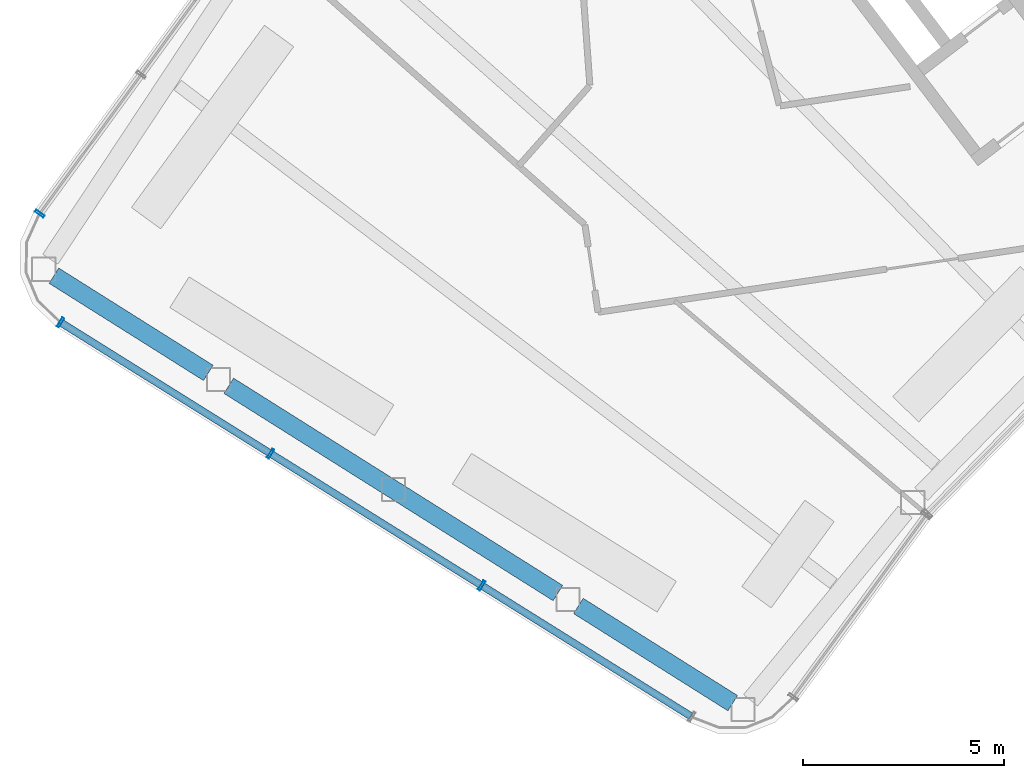
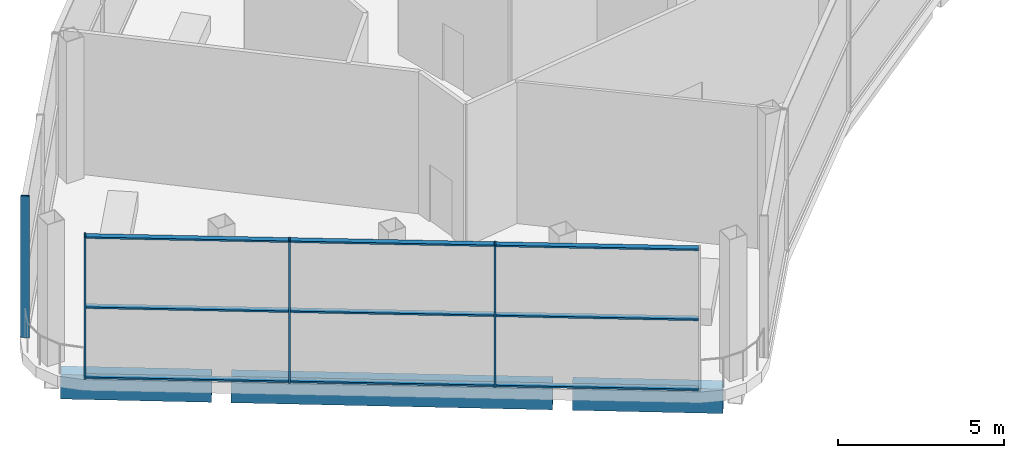
# One storey, part 3 of 44: 13 members, 3 beams, 2 elements without a shape of their own.
"""IFC4 building model written with IfcOpenShell, lengths in metres."""

from ifc_helpers import new_model, si_unit, direction, frame, origin, origin_2d, place, context, subcontext, project, spatial, hollow_rectangle, extrude, material, layer, layer_set, material_profile, profile_set, type_object, element, aggregate, save


model = new_model("IFC4")

# Units and contexts
model_context = context("Model", 3, precision=1e-05, world=origin(), true_north=direction((0.0, 1.0)))
body_context = subcontext(model_context, "Body", "Model", "MODEL_VIEW")
ifc_project = project(units=[si_unit("LENGTHUNIT", "METRE"), si_unit("AREAUNIT", "SQUARE_METRE"), si_unit("VOLUMEUNIT", "CUBIC_METRE"), si_unit("PLANEANGLEUNIT", "RADIAN"), si_unit("MASSUNIT", "GRAM", prefix="KILO")], contexts=[model_context])

# Site, building, storey
site_placement = place(None, origin())
site = spatial("IfcSite", under=ifc_project, at=site_placement, CompositionType="ELEMENT")
building_placement = place(site_placement, origin())
building = spatial("IfcBuilding", under=site, at=building_placement, Name="Tuul Gate Civic Tower", CompositionType="ELEMENT")
storey_placement = place(building_placement, frame((0.0, 0.0, 354.60009765625)))
storey = spatial("IfcBuildingStorey", under=building, at=storey_placement, Name="Observation level 2", CompositionType="ELEMENT", Elevation=354.60009765625)

# Curtain wall, member
ifc_material_1 = material(Name="Stainless steel", Category="steel")
ifc_layer = layer(ifc_material_1, 0.199951171875)
ifc_layer_set = layer_set([ifc_layer], Name="Stainless steel")
curtain_wall_type = type_object("IfcCurtainWallType", Name="Curtain wall CW4", PredefinedType="NOTDEFINED", material=ifc_layer_set)
curtain_wall_1_placement = place(storey_placement, origin())
curtain_wall_1 = element("IfcCurtainWall", 1, at=curtain_wall_1_placement, inside=storey, type_object=curtain_wall_type, Name="Curtain wall CW4", PredefinedType="NOTDEFINED")
ifc_material_2 = material(Name="Stainless steel", Category="steel")
ifc_material_profile_1 = material_profile(ifc_material_2, hollow_rectangle(XDim=0.260009765625, YDim=0.06005859375, WallThickness=0.006103515625, at=origin_2d()), Name="CW4 mullion")
ifc_profile_set_1 = profile_set([ifc_material_profile_1], Name="Stainless steel")
member_type_1 = type_object("IfcMemberType", Name="CW4 mullion", PredefinedType="MULLION", material=ifc_profile_set_1)
member_1_placement = place(storey_placement, frame((-59.580322265625, -18.919677734375, 0.0), z_axis=(0.0, 0.0, 1.0), x_axis=(0.807578487079, -0.589760109881, 0.0)))
member_1 = element("IfcMember", 2, at=member_1_placement, type_object=member_type_1, Name="Mullion", PredefinedType="MULLION", context=body_context, shape_type="SweptSolid", body=[
    extrude(hollow_rectangle(XDim=0.260009765625, YDim=0.06005859375, WallThickness=0.006103515625, at=origin_2d()), origin(), (0.0, 0.0, 1.0), 5.199951171875),
])
aggregate(curtain_wall_1, [member_1])

# Curtain wall, members
curtain_wall_2_placement = place(storey_placement, origin())
curtain_wall_2 = element("IfcCurtainWall", 3, at=curtain_wall_2_placement, inside=storey, type_object=curtain_wall_type, Name="Curtain wall CW4", PredefinedType="NOTDEFINED")
member_2_placement = place(storey_placement, frame((-59.0595703125, -21.619873046875, 0.0), z_axis=(0.0, 0.0, 1.0), x_axis=(0.529911707044, 0.848052818366, 0.0)))
member_2 = element("IfcMember", 4, at=member_2_placement, type_object=member_type_1, Name="Mullion", PredefinedType="MULLION", context=body_context, shape_type="SweptSolid", body=[
    extrude(hollow_rectangle(XDim=0.260009765625, YDim=0.06005859375, WallThickness=0.006103515625, at=origin_2d()), origin(), (0.0, 0.0, 1.0), 5.199951171875),
])
member_3_placement = place(storey_placement, frame((-53.841552734375, -24.88037109375, 0.0), z_axis=(0.0, 0.0, 1.0), x_axis=(0.529911707044, 0.848052818366, 0.0)))
member_3 = element("IfcMember", 5, at=member_3_placement, type_object=member_type_1, Name="Mullion", PredefinedType="MULLION", context=body_context, shape_type="SweptSolid", body=[
    extrude(hollow_rectangle(XDim=0.260009765625, YDim=0.06005859375, WallThickness=0.006103515625, at=origin_2d()), origin(), (0.0, 0.0, 1.0), 5.199951171875),
])
member_4_placement = place(storey_placement, frame((-48.598388671875, -28.15673828125, 0.0), z_axis=(0.0, 0.0, 1.0), x_axis=(0.529911707044, 0.848052818366, 0.0)))
member_4 = element("IfcMember", 6, at=member_4_placement, type_object=member_type_1, Name="Mullion", PredefinedType="MULLION", context=body_context, shape_type="SweptSolid", body=[
    extrude(hollow_rectangle(XDim=0.260009765625, YDim=0.06005859375, WallThickness=0.006103515625, at=origin_2d()), origin(), (0.0, 0.0, 1.0), 5.199951171875),
])
ifc_material_3 = material(Name="Stainless steel", Category="steel")
ifc_material_profile_2 = material_profile(ifc_material_3, hollow_rectangle(XDim=0.179931640625, YDim=0.06005859375, WallThickness=0.006103515625, at=origin_2d()), Name="CW4 transom")
ifc_profile_set_2 = profile_set([ifc_material_profile_2], Name="Stainless steel")
member_type_2 = type_object("IfcMemberType", Name="CW4 transom", PredefinedType="USERDEFINED", material=ifc_profile_set_2)
member_5_placement = place(storey_placement, frame((-59.0341796875, -21.6357421875, 0.02978515625), z_axis=(0.848043323515, -0.529926901979, 0.0), x_axis=(0.529926901979, 0.848043323515, 0.0)))
member_5 = element("IfcMember", 7, at=member_5_placement, type_object=member_type_2, Name="Transom", ObjectType="TRANSOM", PredefinedType="USERDEFINED", context=body_context, shape_type="SweptSolid", body=[
    extrude(hollow_rectangle(XDim=0.179931640625, YDim=0.06005859375, WallThickness=0.006103515625, at=origin_2d()), origin(), (0.0, 0.0, 1.0), 6.0927734375),
])
member_6_placement = place(storey_placement, frame((-59.0341796875, -21.6357421875, 2.599853515625), z_axis=(0.848043323515, -0.529926901979, 0.0), x_axis=(0.529926901979, 0.848043323515, 0.0)))
member_6 = element("IfcMember", 8, at=member_6_placement, type_object=member_type_2, Name="Transom", ObjectType="TRANSOM", PredefinedType="USERDEFINED", context=body_context, shape_type="SweptSolid", body=[
    extrude(hollow_rectangle(XDim=0.179931640625, YDim=0.06005859375, WallThickness=0.006103515625, at=origin_2d()), origin(), (0.0, 0.0, 1.0), 6.0927734375),
])
member_7_placement = place(storey_placement, frame((-59.0341796875, -21.6357421875, 5.169921875), z_axis=(0.848043323515, -0.529926901979, 0.0), x_axis=(0.529926901979, 0.848043323515, 0.0)))
member_7 = element("IfcMember", 9, at=member_7_placement, type_object=member_type_2, Name="Transom", ObjectType="TRANSOM", PredefinedType="USERDEFINED", context=body_context, shape_type="SweptSolid", body=[
    extrude(hollow_rectangle(XDim=0.179931640625, YDim=0.06005859375, WallThickness=0.006103515625, at=origin_2d()), origin(), (0.0, 0.0, 1.0), 6.0927734375),
])
member_8_placement = place(storey_placement, frame((-53.816162109375, -24.896240234375, 0.02978515625), z_axis=(0.848043103374, -0.529927254271, 0.0), x_axis=(0.529927254271, 0.848043103374, 0.0)))
member_8 = element("IfcMember", 10, at=member_8_placement, type_object=member_type_2, Name="Transom", ObjectType="TRANSOM", PredefinedType="USERDEFINED", context=body_context, shape_type="SweptSolid", body=[
    extrude(hollow_rectangle(XDim=0.179931640625, YDim=0.06005859375, WallThickness=0.006103515625, at=origin_2d()), origin(), (0.0, 0.0, 1.0), 6.122802734375),
])
member_9_placement = place(storey_placement, frame((-53.816162109375, -24.896240234375, 2.599853515625), z_axis=(0.848043103374, -0.529927254271, 0.0), x_axis=(0.529927254271, 0.848043103374, 0.0)))
member_9 = element("IfcMember", 11, at=member_9_placement, type_object=member_type_2, Name="Transom", ObjectType="TRANSOM", PredefinedType="USERDEFINED", context=body_context, shape_type="SweptSolid", body=[
    extrude(hollow_rectangle(XDim=0.179931640625, YDim=0.06005859375, WallThickness=0.006103515625, at=origin_2d()), origin(), (0.0, 0.0, 1.0), 6.122802734375),
])
member_10_placement = place(storey_placement, frame((-53.816162109375, -24.896240234375, 5.169921875), z_axis=(0.848043103374, -0.529927254271, 0.0), x_axis=(0.529927254271, 0.848043103374, 0.0)))
member_10 = element("IfcMember", 12, at=member_10_placement, type_object=member_type_2, Name="Transom", ObjectType="TRANSOM", PredefinedType="USERDEFINED", context=body_context, shape_type="SweptSolid", body=[
    extrude(hollow_rectangle(XDim=0.179931640625, YDim=0.06005859375, WallThickness=0.006103515625, at=origin_2d()), origin(), (0.0, 0.0, 1.0), 6.122802734375),
])
member_11_placement = place(storey_placement, frame((-48.572998046875, -28.172607421875, 0.02978515625), z_axis=(0.848072581968, -0.529880076728, 0.0), x_axis=(0.529880076728, 0.848072581968, 0.0)))
member_11 = element("IfcMember", 13, at=member_11_placement, type_object=member_type_2, Name="Transom", ObjectType="TRANSOM", PredefinedType="USERDEFINED", context=body_context, shape_type="SweptSolid", body=[
    extrude(hollow_rectangle(XDim=0.179931640625, YDim=0.06005859375, WallThickness=0.006103515625, at=origin_2d()), origin(), (0.0, 0.0, 1.0), 6.093017578125),
])
member_12_placement = place(storey_placement, frame((-48.572998046875, -28.172607421875, 2.599853515625), z_axis=(0.848072581968, -0.529880076728, 0.0), x_axis=(0.529880076728, 0.848072581968, 0.0)))
member_12 = element("IfcMember", 14, at=member_12_placement, type_object=member_type_2, Name="Transom", ObjectType="TRANSOM", PredefinedType="USERDEFINED", context=body_context, shape_type="SweptSolid", body=[
    extrude(hollow_rectangle(XDim=0.179931640625, YDim=0.06005859375, WallThickness=0.006103515625, at=origin_2d()), origin(), (0.0, 0.0, 1.0), 6.093017578125),
])
member_13_placement = place(storey_placement, frame((-48.572998046875, -28.172607421875, 5.169921875), z_axis=(0.848072581968, -0.529880076728, 0.0), x_axis=(0.529880076728, 0.848072581968, 0.0)))
member_13 = element("IfcMember", 15, at=member_13_placement, type_object=member_type_2, Name="Transom", ObjectType="TRANSOM", PredefinedType="USERDEFINED", context=body_context, shape_type="SweptSolid", body=[
    extrude(hollow_rectangle(XDim=0.179931640625, YDim=0.06005859375, WallThickness=0.006103515625, at=origin_2d()), origin(), (0.0, 0.0, 1.0), 6.093017578125),
])
aggregate(curtain_wall_2, [member_2, member_3, member_4, member_5, member_6, member_7, member_8, member_9, member_10, member_11, member_12, member_13])

# Beams
ifc_material_4 = material(Name="Steel S355", Category="steel")
ifc_material_profile_3 = material_profile(ifc_material_4, hollow_rectangle(XDim=0.449951171875, YDim=0.89990234375, WallThickness=0.02490234375, at=origin_2d()), Name="BOX900x450x25")
ifc_profile_set_3 = profile_set([ifc_material_profile_3], Name="Steel S355")
beam_type = type_object("IfcBeamType", Name="STR-SPANDREL BEAM-BOX900x450x25", PredefinedType="BEAM", material=ifc_profile_set_3)
beam_1_placement = place(storey_placement, frame((-59.22509765625, -20.4599609375, -0.85009765625), z_axis=(0.846180663287, -0.532896129728, 0.0), x_axis=(0.532896129728, 0.846180663287, 0.0)))
element("IfcBeam", 16, at=beam_1_placement, inside=storey, type_object=beam_type, Name="Spandrel beam", PredefinedType="BEAM", context=body_context, shape_type="SweptSolid", body=[
    extrude(hollow_rectangle(XDim=0.449951171875, YDim=0.89990234375, WallThickness=0.02490234375, at=origin_2d()), origin(), (0.0, 0.0, 1.0), 4.532470703125),
])
beam_2_placement = place(storey_placement, frame((-54.882080078125, -23.19482421875, -0.85009765625), z_axis=(0.846196555074, -0.532870894477, 0.0), x_axis=(0.532870894477, 0.846196555074, 0.0)))
element("IfcBeam", 17, at=beam_2_placement, inside=storey, type_object=beam_type, Name="Spandrel beam", PredefinedType="BEAM", context=body_context, shape_type="SweptSolid", body=[
    extrude(hollow_rectangle(XDim=0.449951171875, YDim=0.89990234375, WallThickness=0.02490234375, at=origin_2d()), origin(), (0.0, 0.0, 1.0), 9.66357421875),
])
beam_3_placement = place(storey_placement, frame((-46.197265625, -28.663818359375, -0.85009765625), z_axis=(0.846134763568, -0.532969006493, 0.0), x_axis=(0.532969006493, 0.846134763568, 0.0)))
element("IfcBeam", 18, at=beam_3_placement, inside=storey, type_object=beam_type, Name="Spandrel beam", PredefinedType="BEAM", context=body_context, shape_type="SweptSolid", body=[
    extrude(hollow_rectangle(XDim=0.449951171875, YDim=0.89990234375, WallThickness=0.02490234375, at=origin_2d()), origin(), (0.0, 0.0, 1.0), 4.53173828125),
])

save(model, "model.ifc")
